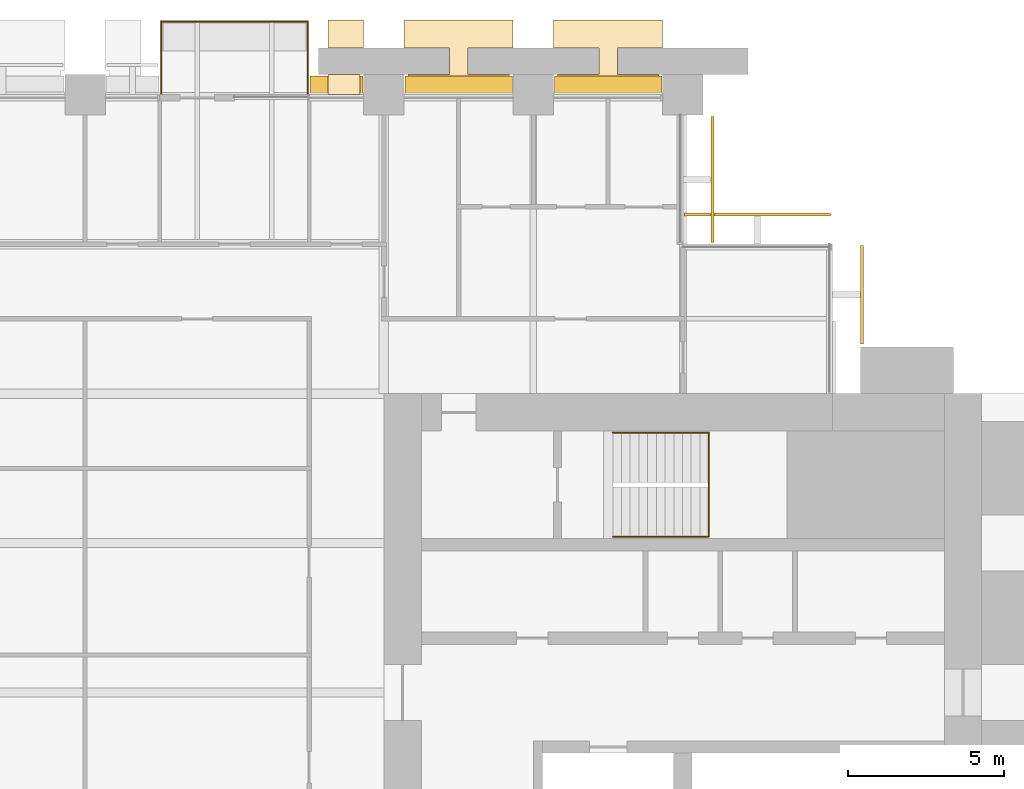
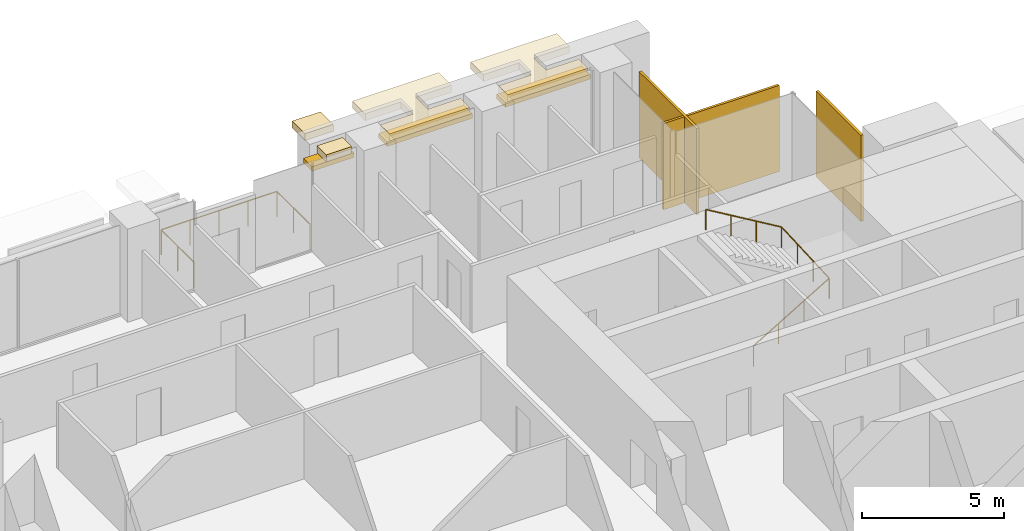
# One storey, part 15 of 15: 7 coverings, 3 shading devices, 2 railings.
"""IFC4 building model written with IfcOpenShell, lengths in metres."""

from ifc_helpers import new_model, si_unit, direction, frame, origin, origin_2d, place, context, subcontext, project, spatial, polyline, rectangle, circle, outline, extrude, material, layer, layer_set, type_object, element, save


model = new_model("IFC4")

# Units and contexts
model_context = context("Model", 3, precision=1e-05, world=origin(), true_north=direction((0.0, 1.0)))
body_context = subcontext(model_context, "Body", "Model", "MODEL_VIEW")
ifc_project = project(units=[si_unit("LENGTHUNIT", "METRE"), si_unit("AREAUNIT", "SQUARE_METRE"), si_unit("VOLUMEUNIT", "CUBIC_METRE"), si_unit("PLANEANGLEUNIT", "RADIAN"), si_unit("MASSUNIT", "GRAM", prefix="KILO")], contexts=[model_context])

# Site, building, storey
site_placement = place(None, origin())
site = spatial("IfcSite", under=ifc_project, at=site_placement, CompositionType="ELEMENT")
building_placement = place(site_placement, origin())
building = spatial("IfcBuilding", under=site, at=building_placement, Name="Baori Bourse Tower", CompositionType="ELEMENT")
storey_placement = place(building_placement, frame((0.0, 0.0, 59.0)))
storey = spatial("IfcBuildingStorey", under=building, at=storey_placement, Name="L12", CompositionType="ELEMENT", Elevation=59.0)

# Coverings
ifc_material_1 = material(Name="Pale anodised aluminium", Category="aluminium")
covering_type_1 = type_object("IfcCoveringType", Name="BD1 Pale metal band", PredefinedType="CLADDING", material=ifc_material_1)
covering_1_placement = place(storey_placement, frame((0.0, 0.0, 3.5400390625)))
element("IfcCovering", 1, at=covering_1_placement, inside=storey, type_object=covering_type_1, Name="Pale projecting band L12 2", PredefinedType="CLADDING", context=body_context, shape_type="SweptSolid", body=[
    extrude(outline(polyline([(43.969970703125, 48.0), (47.22998046875, 48.0), (47.22998046875, 48.64990234375), (45.89990234375, 48.64990234375), (45.89990234375, 49.5), (47.35009765625, 49.5), (47.35009765625, 50.39990234375), (43.85009765625, 50.39990234375), (43.85009765625, 49.5), (45.300048828125, 49.5), (45.300048828125, 48.64990234375), (43.969970703125, 48.64990234375), (43.969970703125, 48.0)])), origin(), (0.0, 0.0, 1.0), 0.300048828125),
])
covering_2_placement = place(storey_placement, frame((0.0, 0.0, 3.5400390625)))
element("IfcCovering", 2, at=covering_2_placement, inside=storey, type_object=covering_type_1, Name="Pale projecting band L12 3", PredefinedType="CLADDING", context=body_context, shape_type="SweptSolid", body=[
    extrude(outline(polyline([(39.169921875, 48.0), (42.429931640625, 48.0), (42.429931640625, 48.64990234375), (41.10009765625, 48.64990234375), (41.10009765625, 49.5), (42.550048828125, 49.5), (42.550048828125, 50.39990234375), (39.050048828125, 50.39990234375), (39.050048828125, 49.5), (40.5, 49.5), (40.5, 48.64990234375), (39.169921875, 48.64990234375), (39.169921875, 48.0)])), origin(), (0.0, 0.0, 1.0), 0.300048828125),
])
covering_3_placement = place(storey_placement, frame((0.0, 0.0, 3.5400390625)))
element("IfcCovering", 3, at=covering_3_placement, inside=storey, type_object=covering_type_1, Name="Pale projecting band L12 4", PredefinedType="CLADDING", context=body_context, shape_type="SweptSolid", body=[
    extrude(outline(polyline([(37.75, 50.39990234375), (36.60009765625, 50.39990234375), (36.60009765625, 49.5), (37.75, 49.5), (37.75, 50.39990234375)])), origin(), (0.0, 0.0, 1.0), 0.300048828125),
])
covering_4_placement = place(storey_placement, frame((0.0, 0.0, 3.5400390625)))
element("IfcCovering", 4, at=covering_4_placement, inside=storey, type_object=covering_type_1, Name="Pale projecting band L12 5", PredefinedType="CLADDING", context=body_context, shape_type="SweptSolid", body=[
    extrude(outline(polyline([(36.60009765625, 48.0), (37.6298828125, 48.0), (37.6298828125, 48.64990234375), (36.60009765625, 48.64990234375), (36.60009765625, 48.0)])), origin(), (0.0, 0.0, 1.0), 0.300048828125),
])

# Shading devices
ifc_material_2 = material(Name="Concrete f'c 40 MPa", Category="concrete")
ifc_layer_1 = layer(ifc_material_2, 0.199951171875)
ifc_layer_set_1 = layer_set([ifc_layer_1], Name="BS1 Brise-soleil ledge")
shading_device_type = type_object("IfcShadingDeviceType", Name="BS1 Brise-soleil ledge", PredefinedType="USERDEFINED", material=ifc_layer_set_1)
for number, where, z_axis, x_axis, name in (
    (5, (45.60009765625, 48.300048828125, 3.33984375), (0.0, 0.0, 1.0), (-1.0, 0.0, 0.0), "Brise-soleil ledge L12 1"),
    (6, (40.800048828125, 48.300048828125, 3.33984375), (0.0, 0.0, 1.0), (-1.0, 0.0, 0.0), "Brise-soleil ledge L12 2"),
):
    element("IfcShadingDevice", number, at=place(storey_placement, frame(where, z_axis=z_axis, x_axis=x_axis)), inside=storey, type_object=shading_device_type, Name=name, ObjectType="BRISE SOLEIL", PredefinedType="USERDEFINED", context=body_context, shape_type="SweptSolid", body=[
        extrude(rectangle(XDim=3.4599609375, YDim=0.60009765625, at=origin_2d()), origin(), (0.0, 0.0, 1.0), 0.199951171875),
    ])
shading_device_placement = place(storey_placement, frame((36.875, 48.300048828125, 3.33984375), z_axis=(0.0, 0.0, 1.0), x_axis=(-1.0, 0.0, 0.0)))
element("IfcShadingDevice", 7, at=shading_device_placement, inside=storey, type_object=shading_device_type, Name="Brise-soleil ledge L12 3", ObjectType="BRISE SOLEIL", PredefinedType="USERDEFINED", context=body_context, shape_type="SweptSolid", body=[
    extrude(rectangle(XDim=1.7099609375, YDim=0.60009765625, at=origin_2d()), origin(), (0.0, 0.0, 1.0), 0.199951171875),
])

# Railings
ifc_material_3 = material(Name="Powder-coated steel balustrade", Category="steel")
railing_type_1 = type_object("IfcRailingType", Name="Core stair handrail", PredefinedType="HANDRAIL", material=ifc_material_3)
railing_1_placement = place(storey_placement, frame((45.75, 33.800048828125, 0.166748046875)))
element("IfcRailing", 8, at=railing_1_placement, inside=storey, type_object=railing_type_1, Name="L12 ST4 stair handrail 1", PredefinedType="HANDRAIL", context=body_context, shape_type="SweptSolid", body=[
    extrude(circle(Radius=0.02392578125, at=origin_2d()), frame((0.0, 0.0, 0.8759765625), z_axis=(0.859308565015, 0.0, 0.511457515432), x_axis=(0.0, 1.0, 0.0)), (0.0, 0.0, 1.0), 3.58447265625),
    extrude(circle(Radius=0.02392578125, at=origin_2d()), frame((3.080078125, 0.0, 2.708984375), z_axis=(0.0, 0.998763387249, 0.04971615724), x_axis=(-1.0, 0.0, 0.0)), (0.0, 0.0, 1.0), 3.35400390625),
    extrude(circle(Radius=0.02392578125, at=origin_2d()), frame((3.080078125, 3.349853515625, 2.8759765625), z_axis=(-0.859308565015, 0.0, 0.511457515432), x_axis=(0.0, -1.0, 0.0)), (0.0, 0.0, 1.0), 3.58447265625),
    extrude(circle(Radius=0.02099609375, at=origin_2d()), origin(), (0.0, 0.0, 1.0), 0.851806640625),
    extrude(circle(Radius=0.02099609375, at=origin_2d()), frame((1.026611328125, 0.0, 0.611083984375)), (0.0, 0.0, 1.0), 0.851806640625),
    extrude(circle(Radius=0.02099609375, at=origin_2d()), frame((2.053466796875, 0.0, 1.22216796875)), (0.0, 0.0, 1.0), 0.851806640625),
    extrude(circle(Radius=0.02099609375, at=origin_2d()), frame((3.080078125, 0.0, 1.833251953125)), (0.0, 0.0, 1.0), 0.851806640625),
    extrude(circle(Radius=0.02099609375, at=origin_2d()), frame((3.080078125, 1.11669921875, 1.888916015625)), (0.0, 0.0, 1.0), 0.851806640625),
    extrude(circle(Radius=0.02099609375, at=origin_2d()), frame((3.080078125, 2.233154296875, 1.9443359375)), (0.0, 0.0, 1.0), 0.851806640625),
    extrude(circle(Radius=0.02099609375, at=origin_2d()), frame((3.080078125, 3.349853515625, 2.0)), (0.0, 0.0, 1.0), 0.851806640625),
    extrude(circle(Radius=0.02099609375, at=origin_2d()), frame((2.053466796875, 3.349853515625, 2.611083984375)), (0.0, 0.0, 1.0), 0.851806640625),
    extrude(circle(Radius=0.02099609375, at=origin_2d()), frame((1.026611328125, 3.349853515625, 3.22216796875)), (0.0, 0.0, 1.0), 0.851806640625),
    extrude(circle(Radius=0.02099609375, at=origin_2d()), frame((0.0, 3.349853515625, 3.833251953125)), (0.0, 0.0, 1.0), 0.851806640625),
])
ifc_material_4 = material(Name="Stainless steel", Category="steel")
railing_type_2 = type_object("IfcRailingType", Name="GD1 Guard", PredefinedType="GUARDRAIL", material=ifc_material_4)
railing_2_placement = place(storey_placement, frame((31.25, 48.030029296875, 0.0)))
element("IfcRailing", 9, at=railing_2_placement, inside=storey, type_object=railing_type_2, Name="Guard balcony N L12 3", PredefinedType="GUARDRAIL", context=body_context, shape_type="SweptSolid", body=[
    extrude(circle(Radius=0.02392578125, at=origin_2d()), frame((0.0, 0.0, 1.076171875), z_axis=(0.0, 1.0, 0.0), x_axis=(-1.0, 0.0, 0.0)), (0.0, 0.0, 1.0), 2.320068359375),
    extrude(circle(Radius=0.02392578125, at=origin_2d()), frame((0.0, 2.320068359375, 1.076171875), z_axis=(1.0, 0.0, 0.0), x_axis=(0.0, 1.0, 0.0)), (0.0, 0.0, 1.0), 4.699951171875),
    extrude(circle(Radius=0.02392578125, at=origin_2d()), frame((4.699951171875, 2.320068359375, 1.076171875), z_axis=(0.0, -1.0, 0.0), x_axis=(1.0, 0.0, 0.0)), (0.0, 0.0, 1.0), 2.320068359375),
    extrude(circle(Radius=0.02099609375, at=origin_2d()), origin(), (0.0, 0.0, 1.0), 1.052001953125),
    extrude(circle(Radius=0.02099609375, at=origin_2d()), frame((0.0, 1.16015625, 0.0)), (0.0, 0.0, 1.0), 1.052001953125),
    extrude(circle(Radius=0.02099609375, at=origin_2d()), frame((0.0, 2.320068359375, 0.0)), (0.0, 0.0, 1.0), 1.052001953125),
    extrude(circle(Radius=0.02099609375, at=origin_2d()), frame((1.175048828125, 2.320068359375, 0.0)), (0.0, 0.0, 1.0), 1.052001953125),
    extrude(circle(Radius=0.02099609375, at=origin_2d()), frame((2.35009765625, 2.320068359375, 0.0)), (0.0, 0.0, 1.0), 1.052001953125),
    extrude(circle(Radius=0.02099609375, at=origin_2d()), frame((3.52490234375, 2.320068359375, 0.0)), (0.0, 0.0, 1.0), 1.052001953125),
    extrude(circle(Radius=0.02099609375, at=origin_2d()), frame((4.699951171875, 2.320068359375, 0.0)), (0.0, 0.0, 1.0), 1.052001953125),
    extrude(circle(Radius=0.02099609375, at=origin_2d()), frame((4.699951171875, 1.16015625, 0.0)), (0.0, 0.0, 1.0), 1.052001953125),
    extrude(circle(Radius=0.02099609375, at=origin_2d()), frame((4.699951171875, 0.0, 0.0)), (0.0, 0.0, 1.0), 1.052001953125),
])

# Coverings
ifc_material_5 = material(Name="Pale anodised aluminium", Category="aluminium")
ifc_layer_2 = layer(ifc_material_5, 0.10009765625)
ifc_layer_set_2 = layer_set([ifc_layer_2], Name="OS3 Outer skin screen panel")
covering_type_2 = type_object("IfcCoveringType", Name="OS3 Outer skin screen panel", PredefinedType="CLADDING", material=ifc_layer_set_2)
covering_5_placement = place(storey_placement, frame((0.0, 0.0, -0.159912109375)))
element("IfcCovering", 10, at=covering_5_placement, inside=storey, type_object=covering_type_2, Name="Outer skin screen L12 1", PredefinedType="CLADDING", context=body_context, shape_type="SweptSolid", body=[
    extrude(outline(polyline([(53.699951171875, 43.14990234375), (53.699951171875, 40.0), (53.800048828125, 40.0), (53.800048828125, 43.14990234375), (53.699951171875, 43.14990234375)])), origin(), (0.0, 0.0, 1.0), 3.699951171875),
])
covering_6_placement = place(storey_placement, frame((0.0, 0.0, -0.159912109375)))
element("IfcCovering", 11, at=covering_6_placement, inside=storey, type_object=covering_type_2, Name="Outer skin screen L12 2", PredefinedType="CLADDING", context=body_context, shape_type="SweptSolid", body=[
    extrude(outline(polyline([(48.050048828125, 44.10009765625), (52.75, 44.10009765625), (52.75, 44.199951171875), (48.050048828125, 44.199951171875), (48.050048828125, 44.10009765625)])), origin(), (0.0, 0.0, 1.0), 3.699951171875),
])
covering_7_placement = place(storey_placement, frame((0.0, 0.0, -0.159912109375)))
element("IfcCovering", 12, at=covering_7_placement, inside=storey, type_object=covering_type_2, Name="Outer skin screen L12 3", PredefinedType="CLADDING", context=body_context, shape_type="SweptSolid", body=[
    extrude(outline(polyline([(48.89990234375, 47.300048828125), (48.89990234375, 43.25), (49.0, 43.25), (49.0, 47.300048828125), (48.89990234375, 47.300048828125)])), origin(), (0.0, 0.0, 1.0), 3.699951171875),
])

save(model, "model.ifc")
